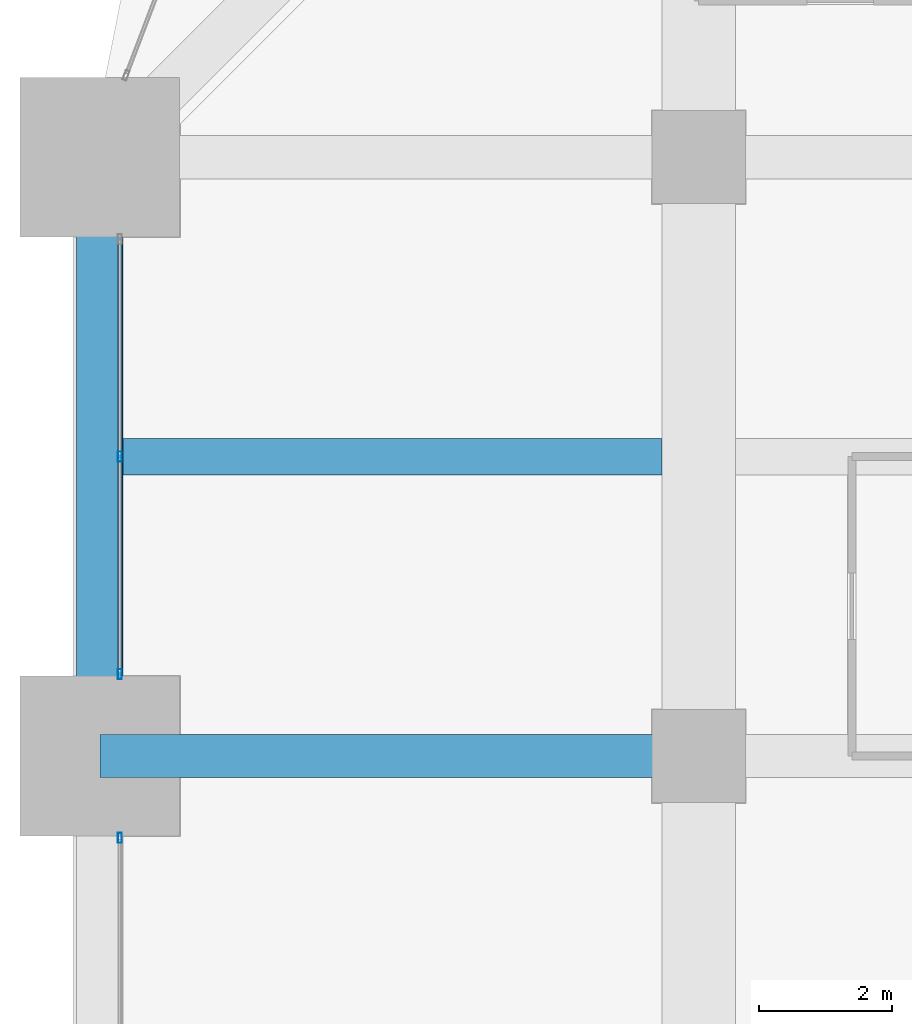
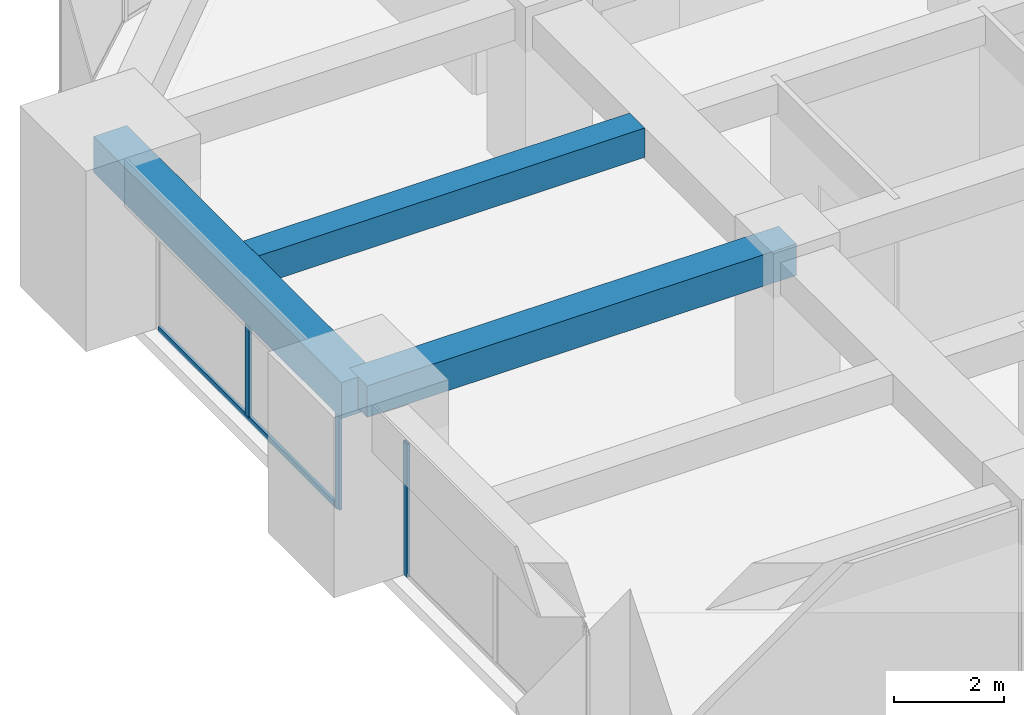
# One storey, part 11 of 32: 4 members, 3 beams, 2 elements without a shape of their own.
"""IFC4 building model written with IfcOpenShell, lengths in metres."""

from ifc_helpers import new_model, si_unit, direction, frame, origin, origin_2d, place, context, subcontext, project, spatial, rectangle, hollow_rectangle, extrude, material, material_profile, profile_set, type_object, element, aggregate, save


model = new_model("IFC4")

# Units and contexts
model_context = context("Model", 3, precision=1e-05, world=origin(), true_north=direction((0.0, 1.0)))
body_context = subcontext(model_context, "Body", "Model", "MODEL_VIEW")
ifc_project = project(units=[si_unit("LENGTHUNIT", "METRE"), si_unit("AREAUNIT", "SQUARE_METRE"), si_unit("VOLUMEUNIT", "CUBIC_METRE"), si_unit("PLANEANGLEUNIT", "RADIAN"), si_unit("MASSUNIT", "GRAM", prefix="KILO")], contexts=[model_context])

# Site, building, storey
site_placement = place(None, origin())
site = spatial("IfcSite", under=ifc_project, at=site_placement, CompositionType="ELEMENT")
building_placement = place(site_placement, origin())
building = spatial("IfcBuilding", under=site, at=building_placement, Name="Zorevar Civic Tower", CompositionType="ELEMENT")
storey_placement = place(building_placement, frame((0.0, 0.0, 202.199951171875)))
storey = spatial("IfcBuildingStorey", under=building, at=storey_placement, Name="L49", CompositionType="ELEMENT", Elevation=202.199951171875)

# Beams
ifc_material_1 = material(Name="Concrete C50/60", Category="concrete")
ifc_material_profile_1 = material_profile(ifc_material_1, rectangle(XDim=0.550048828125, YDim=0.64990234375, at=origin_2d()), Name="RC 550x650")
ifc_profile_set_1 = profile_set([ifc_material_profile_1], Name="Concrete C50/60")
beam_type_1 = type_object("IfcBeamType", Name="Beam RC 550x650", PredefinedType="BEAM", material=ifc_profile_set_1)
beam_1_placement = place(storey_placement, frame((0.35009765625, 31.5, 3.425048828125), z_axis=(1.0, 0.0, 0.0), x_axis=(0.0, 1.0, 0.0)))
element("IfcBeam", 1, at=beam_1_placement, inside=storey, type_object=beam_type_1, Name="Secondary beam L50", PredefinedType="BEAM", context=body_context, shape_type="SweptSolid", body=[
    extrude(rectangle(XDim=0.550048828125, YDim=0.64990234375, at=origin_2d()), origin(), (0.0, 0.0, 1.0), 8.099853515625),
])
ifc_material_2 = material(Name="Concrete C50/60", Category="concrete")
ifc_material_profile_2 = material_profile(ifc_material_2, rectangle(XDim=0.64990234375, YDim=0.699951171875, at=origin_2d()), Name="RC 650x700")
ifc_profile_set_2 = profile_set([ifc_material_profile_2], Name="Concrete C50/60")
beam_type_2 = type_object("IfcBeamType", Name="Beam RC 650x700", PredefinedType="BEAM", material=ifc_profile_set_2)
beam_2_placement = place(storey_placement, frame((0.0, 27.0, 3.400146484375), z_axis=(1.0, 0.0, 0.0), x_axis=(0.0, 1.0, 0.0)))
element("IfcBeam", 2, at=beam_2_placement, inside=storey, type_object=beam_type_2, Name="Girder L50", PredefinedType="BEAM", context=body_context, shape_type="SweptSolid", body=[
    extrude(rectangle(XDim=0.64990234375, YDim=0.699951171875, at=origin_2d()), origin(), (0.0, 0.0, 1.0), 9.0),
])

# Curtain wall, member
ifc_material_3 = material(Name="Dark grey solar-control glass in black aluminium frame", Category="aluminium")
curtain_wall_type = type_object("IfcCurtainWallType", Name="Curtain wall CW4 high zone", PredefinedType="NOTDEFINED", material=ifc_material_3)
curtain_wall_1_placement = place(storey_placement, origin())
curtain_wall_1 = element("IfcCurtainWall", 3, at=curtain_wall_1_placement, inside=storey, type_object=curtain_wall_type, Name="CW4 L49", PredefinedType="NOTDEFINED")
ifc_material_4 = material(Name="Aluminium, black anodised", Category="aluminium")
ifc_material_profile_3 = material_profile(ifc_material_4, hollow_rectangle(XDim=0.06005859375, YDim=0.14990234375, WallThickness=0.00390625, at=origin_2d()), Name="AL 150x60x4")
ifc_profile_set_3 = profile_set([ifc_material_profile_3], Name="Aluminium, black anodised")
member_type_1 = type_object("IfcMemberType", Name="CW4 mullion AL 150x60x4", PredefinedType="MULLION", material=ifc_profile_set_3)
member_1_placement = place(storey_placement, frame((0.300048828125, 25.77001953125, 0.0), z_axis=(0.0, 0.0, 1.0), x_axis=(-1.0, 0.0, 0.0)))
member_1 = element("IfcMember", 4, at=member_1_placement, type_object=member_type_1, Name="CW4 mullion 3", PredefinedType="MULLION", context=body_context, shape_type="SweptSolid", body=[
    extrude(hollow_rectangle(XDim=0.06005859375, YDim=0.14990234375, WallThickness=0.00390625, at=origin_2d()), origin(), (0.0, 0.0, 1.0), 2.949951171875),
])
aggregate(curtain_wall_1, [member_1])

# Curtain wall, members
curtain_wall_2_placement = place(storey_placement, origin())
curtain_wall_2 = element("IfcCurtainWall", 5, at=curtain_wall_2_placement, inside=storey, type_object=curtain_wall_type, Name="CW4 L49", PredefinedType="NOTDEFINED")
member_2_placement = place(storey_placement, frame((0.300048828125, 28.22998046875, 0.0), z_axis=(0.0, 0.0, 1.0), x_axis=(-1.0, 0.0, 0.0)))
member_2 = element("IfcMember", 6, at=member_2_placement, type_object=member_type_1, Name="CW4 mullion 1", PredefinedType="MULLION", context=body_context, shape_type="SweptSolid", body=[
    extrude(hollow_rectangle(XDim=0.06005859375, YDim=0.14990234375, WallThickness=0.00390625, at=origin_2d()), origin(), (0.0, 0.0, 1.0), 2.949951171875),
])
member_3_placement = place(storey_placement, frame((0.300048828125, 31.5, 0.06005859375), z_axis=(0.0, 0.0, 1.0), x_axis=(-1.0, 0.0, 0.0)))
member_3 = element("IfcMember", 7, at=member_3_placement, type_object=member_type_1, Name="CW4 mullion 2", PredefinedType="MULLION", context=body_context, shape_type="SweptSolid", body=[
    extrude(hollow_rectangle(XDim=0.06005859375, YDim=0.14990234375, WallThickness=0.00390625, at=origin_2d()), origin(), (0.0, 0.0, 1.0), 2.889892578125),
])
ifc_material_5 = material(Name="Aluminium, black anodised", Category="aluminium")
ifc_material_profile_4 = material_profile(ifc_material_5, hollow_rectangle(XDim=0.06005859375, YDim=0.1201171875, WallThickness=0.0029296875, at=origin_2d()), Name="AL 120x60x3")
ifc_profile_set_4 = profile_set([ifc_material_profile_4], Name="Aluminium, black anodised")
member_type_2 = type_object("IfcMemberType", Name="CW4 transom AL 120x60x3", PredefinedType="USERDEFINED", material=ifc_profile_set_4)
member_4_placement = place(storey_placement, frame((0.300048828125, 28.260009765625, 0.030029296875), z_axis=(0.0, 1.0, 0.0), x_axis=(-1.0, 0.0, 0.0)))
member_4 = element("IfcMember", 8, at=member_4_placement, type_object=member_type_2, Name="CW4 sill transom", ObjectType="TRANSOM", PredefinedType="USERDEFINED", context=body_context, shape_type="SweptSolid", body=[
    extrude(hollow_rectangle(XDim=0.06005859375, YDim=0.1201171875, WallThickness=0.0029296875, at=origin_2d()), origin(), (0.0, 0.0, 1.0), 6.47998046875),
])
aggregate(curtain_wall_2, [member_2, member_3, member_4])

# Beam
ifc_material_6 = material(Name="Concrete C50/60", Category="concrete")
ifc_material_profile_5 = material_profile(ifc_material_6, rectangle(XDim=0.699951171875, YDim=0.800048828125, at=origin_2d()), Name="RC 700x800")
ifc_profile_set_5 = profile_set([ifc_material_profile_5], Name="Concrete C50/60")
beam_type_3 = type_object("IfcBeamType", Name="Edge beam RC 700x800", PredefinedType="SPANDREL", material=ifc_profile_set_5)
beam_3_placement = place(storey_placement, frame((0.0, 27.0, 3.35009765625), z_axis=(0.0, 1.0, 0.0), x_axis=(-1.0, 0.0, 0.0)))
element("IfcBeam", 9, at=beam_3_placement, inside=storey, type_object=beam_type_3, Name="Edge beam L50", PredefinedType="SPANDREL", context=body_context, shape_type="SweptSolid", body=[
    extrude(rectangle(XDim=0.699951171875, YDim=0.800048828125, at=origin_2d()), origin(), (0.0, 0.0, 1.0), 9.0),
])

save(model, "model.ifc")
